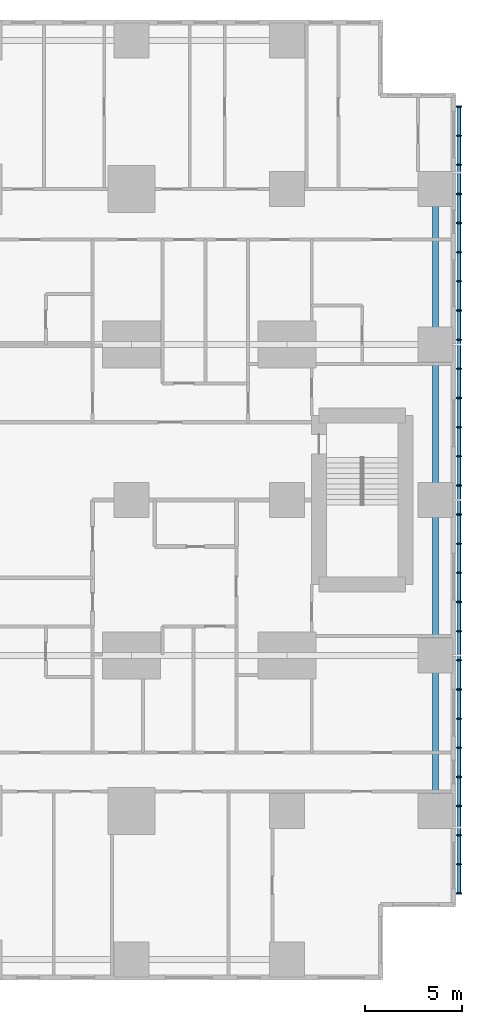
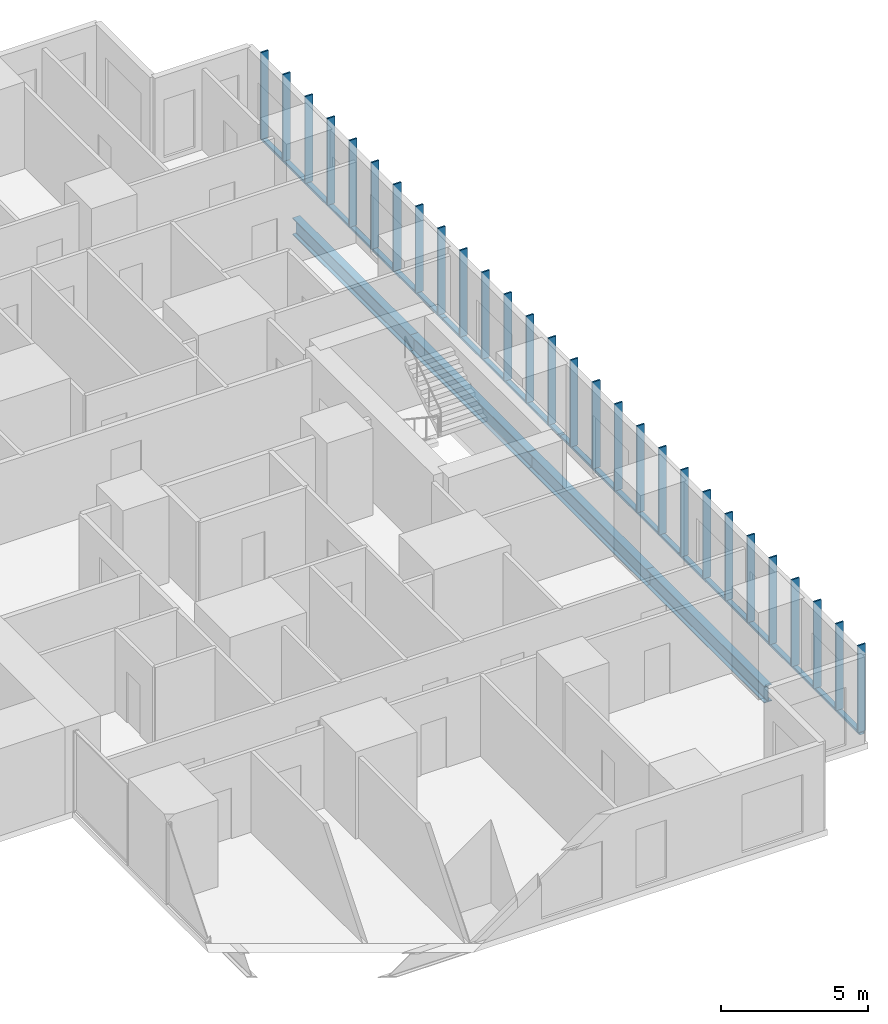
# One storey, part 6 of 20: 32 members, 4 beams.
"""IFC4 building model written with IfcOpenShell, lengths in metres."""

from ifc_helpers import new_model, si_unit, direction, frame, origin, origin_2d, place, context, subcontext, project, spatial, rectangle, hollow_rectangle, i_section, extrude, material, material_profile, profile_set, type_object, element, save


model = new_model("IFC4")

# Units and contexts
model_context = context("Model", 3, precision=1e-05, world=origin(), true_north=direction((0.0, 1.0)))
body_context = subcontext(model_context, "Body", "Model", "MODEL_VIEW")
ifc_project = project(units=[si_unit("LENGTHUNIT", "METRE"), si_unit("AREAUNIT", "SQUARE_METRE"), si_unit("VOLUMEUNIT", "CUBIC_METRE"), si_unit("PLANEANGLEUNIT", "RADIAN"), si_unit("MASSUNIT", "GRAM", prefix="KILO")], contexts=[model_context])

# Site, building, storey
site_placement = place(None, origin())
site = spatial("IfcSite", under=ifc_project, at=site_placement, CompositionType="ELEMENT")
building_placement = place(site_placement, origin())
building = spatial("IfcBuilding", under=site, at=building_placement, Name="Cleftline Residences", CompositionType="ELEMENT")
storey_placement = place(building_placement, frame((0.0, 0.0, 211.0)))
storey = spatial("IfcBuildingStorey", under=building, at=storey_placement, Name="L55", CompositionType="ELEMENT", Elevation=211.0)

# Members
ifc_material_1 = material(Name="Steel S355, hot-dip galvanised", Category="steel")
ifc_material_profile_1 = material_profile(ifc_material_1, hollow_rectangle(XDim=0.10009765625, YDim=0.199951171875, WallThickness=0.008056640625, InnerFilletRadius=0.008056640625, OuterFilletRadius=0.011962890625, at=origin_2d()))
ifc_profile_set_1 = profile_set([ifc_material_profile_1], Name="Steel S355, hot-dip galvanised")
member_type_1 = type_object("IfcMemberType", Name="BAGUETTE CARRIER RHS 200X100X8", PredefinedType="USERDEFINED", material=ifc_profile_set_1)
member_1_placement = place(storey_placement, frame((66.85009765625, 3.699951171875, -0.050048828125), z_axis=(0.0, 1.0, 0.0), x_axis=(0.0, 0.0, 1.0)))
element("IfcMember", 1, at=member_1_placement, inside=storey, type_object=member_type_1, Name="Baguette carrier", ObjectType="BAGUETTE CARRIER", PredefinedType="USERDEFINED", context=body_context, shape_type="SweptSolid", body=[
    extrude(hollow_rectangle(XDim=0.10009765625, YDim=0.199951171875, WallThickness=0.008056640625, InnerFilletRadius=0.008056640625, OuterFilletRadius=0.011962890625, at=origin_2d()), origin(), (0.0, 0.0, 1.0), 12.300048828125),
])
for number, where, z_axis, x_axis, name in (
    (2, (66.85009765625, 16.0, -0.050048828125), (0.0, 1.0, 0.0), (0.0, 0.0, 1.0), "Baguette carrier"),
    (3, (66.85009765625, 24.0, -0.050048828125), (0.0, 1.0, 0.0), (0.0, 0.0, 1.0), "Baguette carrier"),
):
    element("IfcMember", number, at=place(storey_placement, frame(where, z_axis=z_axis, x_axis=x_axis)), inside=storey, type_object=member_type_1, Name=name, ObjectType="BAGUETTE CARRIER", PredefinedType="USERDEFINED", context=body_context, shape_type="SweptSolid", body=[
        extrude(hollow_rectangle(XDim=0.10009765625, YDim=0.199951171875, WallThickness=0.008056640625, InnerFilletRadius=0.008056640625, OuterFilletRadius=0.011962890625, at=origin_2d()), origin(), (0.0, 0.0, 1.0), 8.0),
    ])
member_2_placement = place(storey_placement, frame((66.85009765625, 32.0, -0.050048828125), z_axis=(0.0, 1.0, 0.0), x_axis=(0.0, 0.0, 1.0)))
element("IfcMember", 4, at=member_2_placement, inside=storey, type_object=member_type_1, Name="Baguette carrier", ObjectType="BAGUETTE CARRIER", PredefinedType="USERDEFINED", context=body_context, shape_type="SweptSolid", body=[
    extrude(hollow_rectangle(XDim=0.10009765625, YDim=0.199951171875, WallThickness=0.008056640625, InnerFilletRadius=0.008056640625, OuterFilletRadius=0.011962890625, at=origin_2d()), origin(), (0.0, 0.0, 1.0), 12.300048828125),
])

# Beams
ifc_material_2 = material(Name="Steel S355", Category="steel")
ifc_material_profile_2 = material_profile(ifc_material_2, i_section(OverallWidth=0.300048828125, OverallDepth=0.699951171875, WebThickness=0.01708984375, FlangeThickness=0.031982421875, FilletRadius=0.027099609375, at=origin_2d()))
ifc_profile_set_2 = profile_set([ifc_material_profile_2], Name="Steel S355")
beam_type = type_object("IfcBeamType", Name="BEAM HEB 700", PredefinedType="BEAM", material=ifc_profile_set_2)
for number, where, z_axis, x_axis, name in (
    (5, (65.64990234375, 8.0, -0.60009765625), (0.0, 1.0, 0.0), (-1.0, 0.0, 0.0), "Edge beam"),
    (6, (65.64990234375, 16.0, -0.60009765625), (0.0, 1.0, 0.0), (-1.0, 0.0, 0.0), "Edge beam"),
    (7, (65.64990234375, 24.0, -0.60009765625), (0.0, 1.0, 0.0), (-1.0, 0.0, 0.0), "Edge beam"),
    (8, (65.64990234375, 32.0, -0.60009765625), (0.0, 1.0, 0.0), (-1.0, 0.0, 0.0), "Edge beam"),
):
    element("IfcBeam", number, at=place(storey_placement, frame(where, z_axis=z_axis, x_axis=x_axis)), inside=storey, type_object=beam_type, Name=name, PredefinedType="BEAM", context=body_context, shape_type="SweptSolid", body=[
        extrude(i_section(OverallWidth=0.300048828125, OverallDepth=0.699951171875, WebThickness=0.01708984375, FlangeThickness=0.031982421875, FilletRadius=0.027099609375, at=origin_2d()), origin(), (0.0, 0.0, 1.0), 8.0),
    ])

# Members
ifc_material_3 = material(Name="Extruded terracotta", Category="masonry")
ifc_material_profile_3 = material_profile(ifc_material_3, rectangle(XDim=0.06005859375, YDim=0.300048828125, at=origin_2d()))
ifc_profile_set_3 = profile_set([ifc_material_profile_3], Name="Extruded terracotta")
member_type_2 = type_object("IfcMemberType", Name="TERRACOTTA BAGUETTE 60X300", PredefinedType="USERDEFINED", material=ifc_profile_set_3)
for number, where, z_axis, x_axis, name in (
    (9, (66.85009765625, 3.75, 0.0), (0.0, 0.0, 1.0), (0.0, 1.0, 0.0), "Terracotta baguette"),
    (10, (66.85009765625, 5.25, 0.0), (0.0, 0.0, 1.0), (0.0, 1.0, 0.0), "Terracotta baguette"),
    (11, (66.85009765625, 6.75, 0.0), (0.0, 0.0, 1.0), (0.0, 1.0, 0.0), "Terracotta baguette"),
    (12, (66.85009765625, 8.25, 0.0), (0.0, 0.0, 1.0), (0.0, 1.0, 0.0), "Terracotta baguette"),
    (13, (66.85009765625, 9.75, 0.0), (0.0, 0.0, 1.0), (0.0, 1.0, 0.0), "Terracotta baguette"),
    (14, (66.85009765625, 11.25, 0.0), (0.0, 0.0, 1.0), (0.0, 1.0, 0.0), "Terracotta baguette"),
    (15, (66.85009765625, 12.75, 0.0), (0.0, 0.0, 1.0), (0.0, 1.0, 0.0), "Terracotta baguette"),
    (16, (66.85009765625, 14.25, 0.0), (0.0, 0.0, 1.0), (0.0, 1.0, 0.0), "Terracotta baguette"),
    (17, (66.85009765625, 15.75, 0.0), (0.0, 0.0, 1.0), (0.0, 1.0, 0.0), "Terracotta baguette"),
    (18, (66.85009765625, 17.25, 0.0), (0.0, 0.0, 1.0), (0.0, 1.0, 0.0), "Terracotta baguette"),
    (19, (66.85009765625, 18.75, 0.0), (0.0, 0.0, 1.0), (0.0, 1.0, 0.0), "Terracotta baguette"),
    (20, (66.85009765625, 20.25, 0.0), (0.0, 0.0, 1.0), (0.0, 1.0, 0.0), "Terracotta baguette"),
    (21, (66.85009765625, 21.75, 0.0), (0.0, 0.0, 1.0), (0.0, 1.0, 0.0), "Terracotta baguette"),
    (22, (66.85009765625, 23.25, 0.0), (0.0, 0.0, 1.0), (0.0, 1.0, 0.0), "Terracotta baguette"),
    (23, (66.85009765625, 24.75, 0.0), (0.0, 0.0, 1.0), (0.0, 1.0, 0.0), "Terracotta baguette"),
    (24, (66.85009765625, 26.25, 0.0), (0.0, 0.0, 1.0), (0.0, 1.0, 0.0), "Terracotta baguette"),
    (25, (66.85009765625, 27.75, 0.0), (0.0, 0.0, 1.0), (0.0, 1.0, 0.0), "Terracotta baguette"),
    (26, (66.85009765625, 29.25, 0.0), (0.0, 0.0, 1.0), (0.0, 1.0, 0.0), "Terracotta baguette"),
    (27, (66.85009765625, 30.75, 0.0), (0.0, 0.0, 1.0), (0.0, 1.0, 0.0), "Terracotta baguette"),
    (28, (66.85009765625, 32.25, 0.0), (0.0, 0.0, 1.0), (0.0, 1.0, 0.0), "Terracotta baguette"),
    (29, (66.85009765625, 33.75, 0.0), (0.0, 0.0, 1.0), (0.0, 1.0, 0.0), "Terracotta baguette"),
    (30, (66.85009765625, 35.25, 0.0), (0.0, 0.0, 1.0), (0.0, 1.0, 0.0), "Terracotta baguette"),
    (31, (66.85009765625, 36.75, 0.0), (0.0, 0.0, 1.0), (0.0, 1.0, 0.0), "Terracotta baguette"),
    (32, (66.85009765625, 38.25, 0.0), (0.0, 0.0, 1.0), (0.0, 1.0, 0.0), "Terracotta baguette"),
    (33, (66.85009765625, 39.75, 0.0), (0.0, 0.0, 1.0), (0.0, 1.0, 0.0), "Terracotta baguette"),
    (34, (66.85009765625, 41.25, 0.0), (0.0, 0.0, 1.0), (0.0, 1.0, 0.0), "Terracotta baguette"),
    (35, (66.85009765625, 42.75, 0.0), (0.0, 0.0, 1.0), (0.0, 1.0, 0.0), "Terracotta baguette"),
    (36, (66.85009765625, 44.25, 0.0), (0.0, 0.0, 1.0), (0.0, 1.0, 0.0), "Terracotta baguette"),
):
    element("IfcMember", number, at=place(storey_placement, frame(where, z_axis=z_axis, x_axis=x_axis)), inside=storey, type_object=member_type_2, Name=name, ObjectType="BAGUETTE", PredefinedType="USERDEFINED", context=body_context, shape_type="SweptSolid", body=[
        extrude(rectangle(XDim=0.06005859375, YDim=0.300048828125, at=origin_2d()), origin(), (0.0, 0.0, 1.0), 3.60009765625),
    ])

save(model, "model.ifc")
